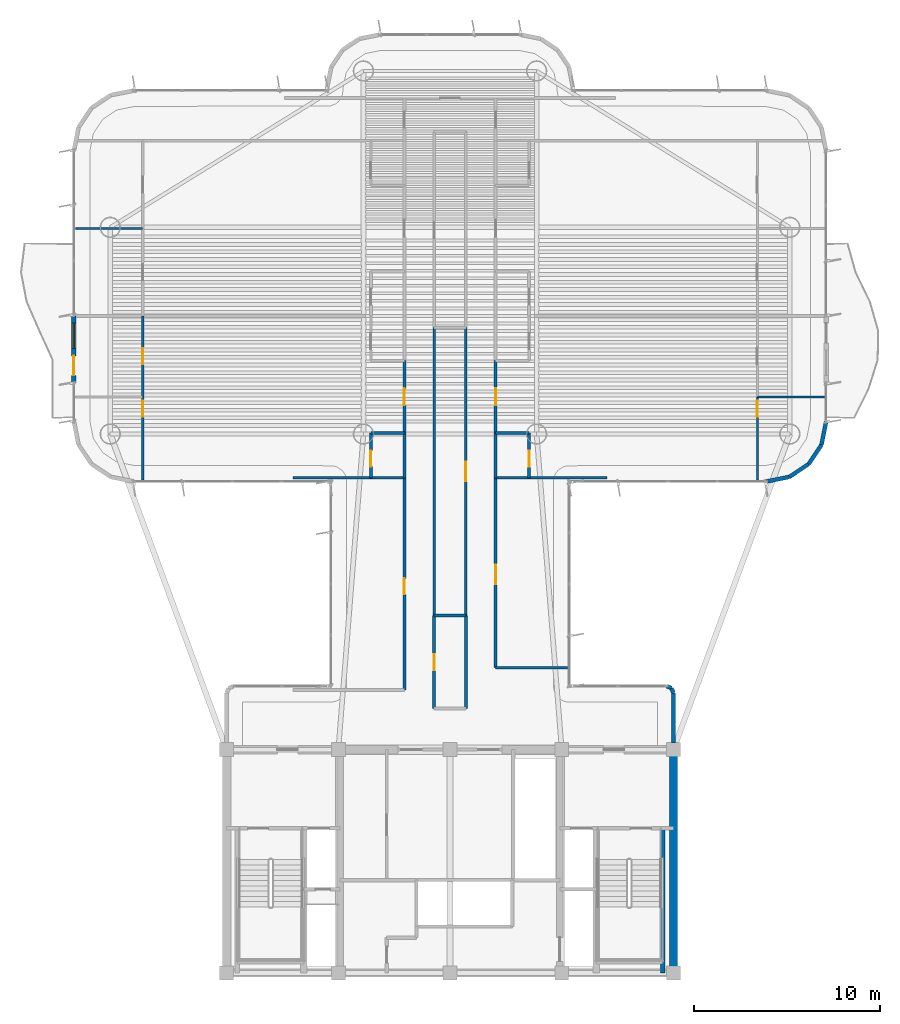
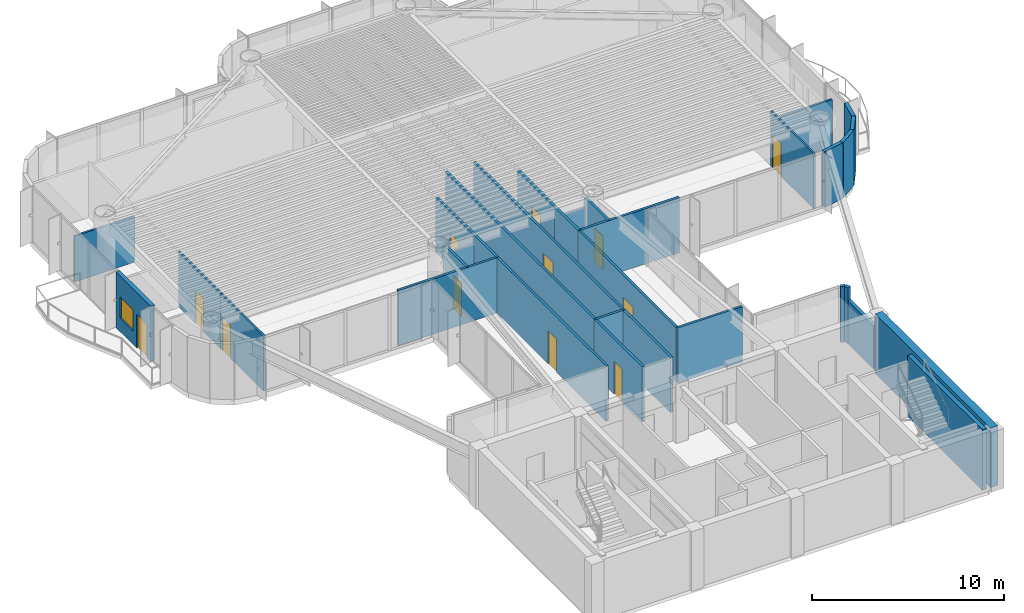
# One storey, part 10 of 15: 33 walls, 12 doors, 1 window, 13 openings.
"""IFC4 building model written with IfcOpenShell, lengths in metres."""

import ifcopenshell
import ifcopenshell.guid

model = None  # the IFC model being written
_history = None  # IfcOwnerHistory: only IFC2X3 demands one
_inside = {}  # id of a spatial element -> (the spatial element, [elements in it])
_under = {}  # id of a project, library or spatial element -> (it, [spatial elements below it])
_declared = {}  # id of a project -> (the project, [libraries it declares])
_typed = {}  # id of a type object -> (the type object, [elements of that type])
_made_of = {}  # id of a material, layer set ... -> (it, [elements and type objects made of it])


def new_model(schema):
    """Start an empty IFC model of exactly this schema.

    Asked for "IFC4X3", IfcOpenShell would pick the latest addendum, in which some entities
    have other attributes; the version numbers below select the first issue.
    IFC2X3 requires an IfcOwnerHistory on every rooted entity: one is made here for all.
    """
    global model, _history
    if schema == "IFC4X3":
        model = ifcopenshell.file(schema_version=(4, 3, 0, 0))
    else:
        model = ifcopenshell.file(schema=schema)
    _inside.clear()
    _under.clear()
    _declared.clear()
    _typed.clear()
    _made_of.clear()
    _history = None
    if model.schema == "IFC2X3":
        org = make("IfcOrganization", Name="unknown")
        user = make(
            "IfcPersonAndOrganization",
            ThePerson=make("IfcPerson", FamilyName="unknown"),
            TheOrganization=org,
        )
        app = make(
            "IfcApplication",
            ApplicationDeveloper=org,
            Version="unknown",
            ApplicationFullName="unknown",
            ApplicationIdentifier="unknown",
        )
        _history = make(
            "IfcOwnerHistory",
            OwningUser=user,
            OwningApplication=app,
            ChangeAction="ADDED",
            CreationDate=0,
        )
    return model


def make(cls, **values):
    """One entity of the class cls with the attributes given. An attribute that is None is left unset."""
    return model.create_entity(
        cls, **{name: value for name, value in values.items() if value is not None}
    )


def rooted(cls, **values):
    """An entity with a GlobalId (a new one), such as an element, a storey or a relation."""
    return make(cls, GlobalId=ifcopenshell.guid.new(), OwnerHistory=_history, **values)


def si_unit(unit_type, name, prefix=None):
    """IfcSIUnit, for example si_unit("LENGTHUNIT", "METRE", prefix="MILLI")."""
    return make("IfcSIUnit", UnitType=unit_type, Prefix=prefix, Name=name)


def assignment(units):
    """IfcUnitAssignment: the units of a project."""
    return None if units is None else make("IfcUnitAssignment", Units=units)


def point(xyz):
    """IfcCartesianPoint."""
    return None if xyz is None else make("IfcCartesianPoint", Coordinates=xyz)


def direction(xyz):
    """IfcDirection."""
    return None if xyz is None else make("IfcDirection", DirectionRatios=xyz)


def frame(location, z_axis=None, x_axis=None):
    """IfcAxis2Placement3D, a coordinate frame: its origin and axes. An axis left out is left unset."""
    return make(
        "IfcAxis2Placement3D",
        Location=point(location),
        Axis=direction(z_axis),
        RefDirection=direction(x_axis),
    )


def frame_2d(location, x_axis=None):
    """IfcAxis2Placement2D, a coordinate frame in the plane: its origin and x axis."""
    return make(
        "IfcAxis2Placement2D", Location=point(location), RefDirection=direction(x_axis)
    )


def origin():
    """The frame at (0, 0, 0) with its axes left unset."""
    return frame((0.0, 0.0, 0.0))


def origin_2d():
    """The frame at (0, 0) in the plane with its x axis left unset."""
    return frame_2d((0.0, 0.0))


def place(relative_to, where):
    """IfcLocalPlacement: puts the frame where relative to a parent placement (None: the world)."""
    return make(
        "IfcLocalPlacement", PlacementRelTo=relative_to, RelativePlacement=where
    )


def context(
    kind, dimensions, precision=None, world=None, true_north=None, identifier=None
):
    """IfcGeometricRepresentationContext, for example the 3D "Model" context."""
    return make(
        "IfcGeometricRepresentationContext",
        ContextIdentifier=identifier,
        ContextType=kind,
        CoordinateSpaceDimension=dimensions,
        Precision=precision,
        WorldCoordinateSystem=world,
        TrueNorth=true_north,
    )


def subcontext(parent, identifier, kind, view, scale=None):
    """IfcGeometricRepresentationSubContext, for example "Body" below "Model"."""
    return make(
        "IfcGeometricRepresentationSubContext",
        ContextIdentifier=identifier,
        ContextType=kind,
        ParentContext=parent,
        TargetScale=scale,
        TargetView=view,
    )


def project(units=None, contexts=None):
    """IfcProject with its units and contexts."""
    return rooted(
        "IfcProject",
        Name="project",
        RepresentationContexts=contexts,
        UnitsInContext=assignment(units),
    )


def spatial(cls, under=None, at=None, **own):
    """A site, building, storey or space (cls), placed at a placement, below another one or the project."""
    s = rooted(cls, ObjectPlacement=at, **own)
    if under is not None:
        _under.setdefault(under.id(), (under, []))[1].append(s)
    return s


def profile(cls, at=None, kind="AREA", **sizes):
    """A parametric profile (cls). Its sizes go by their IFC names, for example OverallWidth=200.0."""
    return make(cls, ProfileType=kind, Position=at, **sizes)


def rectangle(**sizes):
    """IfcRectangleProfileDef."""
    return profile("IfcRectangleProfileDef", **sizes)


def extrude(swept, where, along, depth):
    """IfcExtrudedAreaSolid: the profile swept, set in the frame where, extruded along a direction by depth."""
    return make(
        "IfcExtrudedAreaSolid",
        SweptArea=swept,
        Position=where,
        ExtrudedDirection=direction(along),
        Depth=depth,
    )


def shape(context_of_items, identifier, shape_type, items):
    """IfcShapeRepresentation: the items that make up one representation, for example the "Body"."""
    return make(
        "IfcShapeRepresentation",
        ContextOfItems=context_of_items,
        RepresentationIdentifier=identifier,
        RepresentationType=shape_type,
        Items=items,
    )


def source(mapping_origin, context_of_items, identifier, shape_type, items):
    """IfcRepresentationMap: a shape defined once, which mapped items show again and again."""
    return make(
        "IfcRepresentationMap",
        MappingOrigin=mapping_origin,
        MappedRepresentation=shape(context_of_items, identifier, shape_type, items),
    )


def transform(
    local_origin,
    x_axis=None,
    y_axis=None,
    z_axis=None,
    scale=None,
    scale2=None,
    scale3=None,
    uniform=True,
):
    """IfcCartesianTransformationOperator3D, or its non-uniform kind. x_axis, y_axis, z_axis: its Axis1, 2, 3."""
    if uniform:
        return make(
            "IfcCartesianTransformationOperator3D",
            Axis1=direction(x_axis),
            Axis2=direction(y_axis),
            LocalOrigin=point(local_origin),
            Scale=scale,
            Axis3=direction(z_axis),
        )
    return make(
        "IfcCartesianTransformationOperator3DnonUniform",
        Axis1=direction(x_axis),
        Axis2=direction(y_axis),
        LocalOrigin=point(local_origin),
        Scale=scale,
        Axis3=direction(z_axis),
        Scale2=scale2,
        Scale3=scale3,
    )


def mapped(mapping_source, mapping_target):
    """IfcMappedItem: shows the shape of a source again, moved by a transform."""
    return make(
        "IfcMappedItem", MappingSource=mapping_source, MappingTarget=mapping_target
    )


def material(Name=None, Category=None):
    """IfcMaterial."""
    return make("IfcMaterial", Name=Name, Category=Category)


def layer(
    of_material, thickness, ventilated=None, Name=None, Category=None, Priority=None
):
    """IfcMaterialLayer: one layer of a wall or slab, of a material (None: an air gap)."""
    return make(
        "IfcMaterialLayer",
        Material=of_material,
        LayerThickness=thickness,
        IsVentilated=ventilated,
        Name=Name,
        Category=Category,
        Priority=Priority,
    )


def layer_set(layers, Name=None):
    """IfcMaterialLayerSet."""
    return make("IfcMaterialLayerSet", MaterialLayers=layers, LayerSetName=Name)


def made_of(thing, what):
    """Note that an element or type object is made of a material, layer set ...; save() writes the relation."""
    if what is not None:
        _made_of.setdefault(what.id(), (what, []))[1].append(thing)
    return thing


def type_object(cls, material=None, **own):
    """A type object (cls), such as IfcWallType, which elements share."""
    return made_of(rooted(cls, **own), material)


def element(
    cls,
    number,
    at=None,
    inside=None,
    cuts=None,
    type_object=None,
    material=None,
    context=None,
    identifier="Body",
    shape_type=None,
    held_by="IfcProductDefinitionShape",
    body=None,
    shapes=None,
    **own,
):
    """One element of the class cls, such as IfcWall. Its Tag is "e" and its number.

    at: its placement. inside: the storey or other place that contains it. cuts: it is an
    opening in that element (IfcRelVoidsElement). A single representation is given by context,
    identifier, shape_type and body (its items); several are given by shapes. held_by: the class
    of the entity that holds the representations. save() writes the other relations.
    """
    e = rooted(cls, Tag="e%d" % number, ObjectPlacement=at, **own)
    if body is not None:
        shapes = [shape(context, identifier, shape_type, body)]
    if shapes is not None:
        e.Representation = make(held_by, Representations=shapes)
    if inside is not None:
        _inside.setdefault(inside.id(), (inside, []))[1].append(e)
    if cuts is not None:
        rooted(
            "IfcRelVoidsElement", RelatingBuildingElement=cuts, RelatedOpeningElement=e
        )
    if type_object is not None:
        _typed.setdefault(type_object.id(), (type_object, []))[1].append(e)
    return made_of(e, material)


def fill(opening, filler):
    """IfcRelFillsElement: the door or window that sits in an opening."""
    return rooted(
        "IfcRelFillsElement",
        RelatingOpeningElement=opening,
        RelatedBuildingElement=filler,
    )


def aggregate(whole, parts):
    """IfcRelAggregates: a whole, such as a stair, and the parts it consists of."""
    return rooted("IfcRelAggregates", RelatingObject=whole, RelatedObjects=parts)


def save(model, path):
    """Write the relations noted so far, then the file.

    IfcRelAggregates (storeys below a building ...), IfcRelContainedInSpatialStructure (elements
    in a storey), IfcRelDefinesByType, IfcRelAssociatesMaterial and IfcRelDeclares: one each for
    every whole, place, type object, material and project.
    """
    for whole, parts in _under.values():
        aggregate(whole, parts)
    for where, things in _inside.values():
        rooted(
            "IfcRelContainedInSpatialStructure",
            RelatedElements=things,
            RelatingStructure=where,
        )
    for kind, things in _typed.values():
        rooted("IfcRelDefinesByType", RelatedObjects=things, RelatingType=kind)
    for what, things in _made_of.values():
        rooted("IfcRelAssociatesMaterial", RelatedObjects=things, RelatingMaterial=what)
    for by, libraries in _declared.values():
        rooted("IfcRelDeclares", RelatingContext=by, RelatedDefinitions=libraries)
    model.write(path)


model = new_model("IFC4")

# Units and contexts
model_context = context("Model", 3, precision=1e-05, world=origin(), true_north=direction((0.0, 1.0)))
body_context = subcontext(model_context, "Body", "Model", "MODEL_VIEW")
ifc_project = project(units=[si_unit("LENGTHUNIT", "METRE"), si_unit("AREAUNIT", "SQUARE_METRE"), si_unit("VOLUMEUNIT", "CUBIC_METRE"), si_unit("PLANEANGLEUNIT", "RADIAN"), si_unit("MASSUNIT", "GRAM", prefix="KILO")], contexts=[model_context])

# Site, building, storey
site_placement = place(None, origin())
site = spatial("IfcSite", under=ifc_project, at=site_placement, CompositionType="ELEMENT")
building_placement = place(site_placement, origin())
building = spatial("IfcBuilding", under=site, at=building_placement, Name="Brelvock Crest Care Tower", CompositionType="ELEMENT")
storey_placement = place(building_placement, frame((0.0, 0.0, 156.419921875)))
storey = spatial("IfcBuildingStorey", under=building, at=storey_placement, Name="L39", CompositionType="ELEMENT", Elevation=156.419921875)

# Walls
ifc_material_1 = material(Name="Concrete S65 (65 MPa)", Category="concrete")
ifc_layer_1 = layer(ifc_material_1, 0.449951171875, Name="WL-CS3")
ifc_layer_set_1 = layer_set([ifc_layer_1], Name="Concrete S65 (65 MPa)")
wall_type_1 = type_object("IfcWallType", Name="WL-CS3", PredefinedType="SHEAR", material=ifc_layer_set_1)
wall_1_placement = place(storey_placement, frame((48.0, 18.0, 0.0), z_axis=(0.0, 0.0, 1.0), x_axis=(0.0, -1.0, 0.0)))
element("IfcWall", 1, at=wall_1_placement, inside=storey, type_object=wall_type_1, Name="L39 Core East Shear Wall", PredefinedType="SHEAR", context=body_context, shape_type="SweptSolid", body=[
    extrude(rectangle(XDim=12.0, YDim=0.449951171875, at=frame_2d((6.0, 0.0))), origin(), (0.0, 0.0, 1.0), 3.780029296875),
])
ifc_material_2 = material(Name="Concrete S80 (80 MPa)", Category="concrete")
ifc_layer_2 = layer(ifc_material_2, 0.25, Name="WL-CS6")
ifc_layer_set_2 = layer_set([ifc_layer_2], Name="Concrete S80 (80 MPa)")
wall_type_2 = type_object("IfcWallType", Name="WL-CS6", PredefinedType="SHEAR", material=ifc_layer_set_2)
wall_2_placement = place(storey_placement, frame((47.419921875, 6.0, 0.0), z_axis=(0.0, 0.0, 1.0), x_axis=(0.0, 1.0, 0.0)))
element("IfcWall", 2, at=wall_2_placement, inside=storey, type_object=wall_type_2, Name="L39 Core Stair ST-2 East Shear Wall", PredefinedType="SHEAR", context=body_context, shape_type="SweptSolid", body=[
    extrude(rectangle(XDim=7.780029296875, YDim=0.25, at=frame_2d((3.89013671875, 0.0))), origin(), (0.0, 0.0, 1.0), 3.85009765625),
])

# Wall, openings, door, window
ifc_material_3 = material(Name="Precast concrete N40 (40 MPa)", Category="concrete")
ifc_layer_3 = layer(ifc_material_3, 0.239990234375, Name="WL-EX1")
ifc_layer_set_3 = layer_set([ifc_layer_3], Name="Precast concrete N40 (40 MPa)")
wall_type_3 = type_object("IfcWallType", Name="WL-EX1", PredefinedType="SOLIDWALL", material=ifc_layer_set_3)
wall_3_placement = place(storey_placement, frame((15.800048828125, 37.699951171875, 0.0), z_axis=(0.0, 0.0, 1.0), x_axis=(0.0, 1.0, 0.0)))
wall_3 = element("IfcWall", 3, at=wall_3_placement, inside=storey, type_object=wall_type_3, Name="L39 Exterior Spandrel Wall WL-BAL-L39-W", PredefinedType="SOLIDWALL", context=body_context, shape_type="SweptSolid", body=[
    extrude(rectangle(XDim=3.60009765625, YDim=0.239990234375, at=frame_2d((1.800048828125, 0.0))), origin(), (0.0, 0.0, 1.0), 3.530029296875),
])
opening_1_placement = place(wall_3_placement, frame((0.39990234375, 0.0, 0.0)))
opening_1 = element("IfcOpeningElement", 4, at=opening_1_placement, cuts=wall_3, Name="Opening BD-1", PredefinedType="OPENING", context=body_context, shape_type="SweptSolid", body=[
    extrude(rectangle(XDim=1.050048828125, YDim=2.14990234375, at=origin_2d()), frame((0.52490234375, 0.1298828125, 1.074951171875), z_axis=(0.0, -1.0, 0.0), x_axis=(1.0, 0.0, 0.0)), (0.0, 0.0, 1.0), 0.260009765625),
])
opening_2_placement = place(wall_3_placement, frame((1.85009765625, 0.0, 0.85009765625)))
opening_2 = element("IfcOpeningElement", 5, at=opening_2_placement, cuts=wall_3, Name="Opening W-01", PredefinedType="OPENING", context=body_context, shape_type="SweptSolid", body=[
    extrude(rectangle(XDim=1.35009765625, YDim=1.35009765625, at=origin_2d()), frame((0.675048828125, 0.1298828125, 0.675048828125), z_axis=(0.0, -1.0, 0.0), x_axis=(1.0, 0.0, 0.0)), (0.0, 0.0, 1.0), 0.260009765625),
])
ifc_material_4 = material(Name="Dark Glass Double Glazed Low-E", Category="glass")
door_type_1 = type_object("IfcDoorType", Name="DR-BAL1", OperationType="NOTDEFINED", PredefinedType="DOOR", material=ifc_material_4)
shared_shape_1 = source(origin(), body_context, "Body", "SweptSolid", [
    extrude(rectangle(XDim=1.050048828125, YDim=2.14990234375, at=origin_2d()), frame((0.52490234375, 0.02490234375, 1.074951171875), z_axis=(0.0, -1.0, 0.0), x_axis=(1.0, 0.0, 0.0)), (0.0, 0.0, 1.0), 0.050048828125),
])
door_1_placement = place(opening_1_placement, origin())
door_1 = element("IfcDoor", 6, at=door_1_placement, inside=storey, type_object=door_type_1, Name="L39 W Wave Balcony Glazed Door", OperationType="SINGLE_SWING_LEFT", OverallHeight=2.14990234375, OverallWidth=1.050048828125, PredefinedType="DOOR", context=body_context, shape_type="MappedRepresentation", body=[
    mapped(shared_shape_1, transform((0.0, 0.0, 0.0), x_axis=(1.0, 0.0, 0.0), y_axis=(0.0, 1.0, 0.0), z_axis=(0.0, 0.0, 1.0), scale=1.0)),
])
fill(opening_1, door_1)
window_type = type_object("IfcWindowType", Name="WN-EX1", PartitioningType="SINGLE_PANEL", PredefinedType="WINDOW", material=ifc_material_4)
shared_shape_2 = source(origin(), body_context, "Body", "SweptSolid", [
    extrude(rectangle(XDim=1.35009765625, YDim=1.35009765625, at=origin_2d()), frame((0.675048828125, 0.030029296875, 0.675048828125), z_axis=(0.0, -1.0, 0.0), x_axis=(1.0, 0.0, 0.0)), (0.0, 0.0, 1.0), 0.06005859375),
])
window_placement = place(opening_2_placement, origin())
window = element("IfcWindow", 7, at=window_placement, inside=storey, type_object=window_type, Name="L39 W Suite Casement Window", OverallHeight=1.35009765625, OverallWidth=1.35009765625, PartitioningType="SINGLE_PANEL", PredefinedType="WINDOW", context=body_context, shape_type="MappedRepresentation", body=[
    mapped(shared_shape_2, transform((0.0, 0.0, 0.0), x_axis=(1.0, 0.0, 0.0), y_axis=(0.0, 1.0, 0.0), z_axis=(0.0, 0.0, 1.0), scale=1.0)),
])
fill(opening_2, window)

# Walls
ifc_layer_4 = layer(ifc_material_3, 0.215087890625, Name="WL-EX2")
ifc_layer_set_4 = layer_set([ifc_layer_4], Name="Precast concrete N40 (40 MPa)")
wall_type_4 = type_object("IfcWallType", Name="WL-EX2", PredefinedType="SOLIDWALL", material=ifc_layer_set_4)
wall_4_placement = place(storey_placement, frame((47.8974609375, 21.297607421875, 0.0), z_axis=(0.0, 0.0, 1.0), x_axis=(0.382673670509, -0.923883575944, 0.0)))
element("IfcWall", 8, at=wall_4_placement, inside=storey, type_object=wall_type_4, Name="L39 Rounded Corner Wall 00", PredefinedType="SOLIDWALL", context=body_context, shape_type="SweptSolid", body=[
    extrude(rectangle(XDim=0.26806640625, YDim=0.215087890625, at=frame_2d((0.134033203125, 0.0))), origin(), (0.0, 0.0, 1.0), 3.530029296875),
])
wall_5_placement = place(storey_placement, frame((48.0, 21.050048828125, 0.0), z_axis=(0.0, 0.0, 1.0), x_axis=(0.0, -1.0, 0.0)))
element("IfcWall", 9, at=wall_5_placement, inside=storey, type_object=wall_type_4, Name="L39 Rounded Corner Wall 01", PredefinedType="SOLIDWALL", context=body_context, shape_type="SweptSolid", body=[
    extrude(rectangle(XDim=2.695068359375, YDim=0.215087890625, at=frame_2d((1.34765625, 0.0))), origin(), (0.0, 0.0, 1.0), 2.718017578125),
])
for number, where, z_axis, x_axis, name in (
    (10, (56.199951171875, 35.60009765625, 0.0), (0.0, 0.0, 1.0), (-0.195138390419, -0.980775717779, 0.0), "L39 Rounded Corner Wall 40"),
    (11, (55.956298828125, 34.37548828125, 0.0), (0.0, 0.0, 1.0), (-0.555557312883, -0.831478245117, 0.0), "L39 Rounded Corner Wall 41"),
    (12, (55.2626953125, 33.33740234375, 0.0), (0.0, 0.0, 1.0), (-0.831387912822, -0.555692485475, 0.0), "L39 Rounded Corner Wall 42"),
    (13, (54.224609375, 32.6435546875, 0.0), (0.0, 0.0, 1.0), (-0.980775717779, -0.195138390419, 0.0), "L39 Rounded Corner Wall 43"),
):
    element("IfcWall", number, at=place(storey_placement, frame(where, z_axis=z_axis, x_axis=x_axis)), inside=storey, type_object=wall_type_4, Name=name, PredefinedType="SOLIDWALL", context=body_context, shape_type="SweptSolid", body=[
        extrude(rectangle(XDim=1.24853515625, YDim=0.215087890625, at=frame_2d((0.624267578125, 0.0))), origin(), (0.0, 0.0, 1.0), 3.530029296875),
    ])
wall_6_placement = place(storey_placement, frame((47.64990234375, 21.39990234375, 0.0), z_axis=(0.0, 0.0, 1.0), x_axis=(0.924205486139, -0.381895560841, 0.0)))
element("IfcWall", 14, at=wall_6_placement, inside=storey, type_object=wall_type_4, Name="L39 Rounded Corner Wall 47", PredefinedType="SOLIDWALL", context=body_context, shape_type="SweptSolid", body=[
    extrude(rectangle(XDim=0.267822265625, YDim=0.215087890625, at=frame_2d((0.1337890625, 0.0))), origin(), (0.0, 0.0, 1.0), 3.530029296875),
])
ifc_material_5 = material(Name="Masonry Blockwork Acoustic Partition", Category="masonry")
ifc_layer_5 = layer(ifc_material_5, 0.14990234375, Name="WL-INT1")
ifc_layer_set_5 = layer_set([ifc_layer_5], Name="Masonry Blockwork Acoustic Partition")
wall_type_5 = type_object("IfcWallType", Name="WL-INT1", PredefinedType="PARTITIONING", material=ifc_layer_set_5)
wall_7_placement = place(storey_placement, frame((38.449951171875, 22.39990234375, 0.0), z_axis=(0.0, 0.0, 1.0), x_axis=(1.0, 0.0, 0.0)))
element("IfcWall", 15, at=wall_7_placement, inside=storey, type_object=wall_type_5, Name="L39 Interior Wall WL-BX-L39-THRE-S", PredefinedType="PARTITIONING", context=body_context, shape_type="SweptSolid", body=[
    extrude(rectangle(XDim=3.8701171875, YDim=0.14990234375, at=frame_2d((1.93505859375, 0.0))), origin(), (0.0, 0.0, 1.0), 3.5),
])
wall_8_placement = place(storey_placement, frame((27.55712890625, 32.60009765625, 0.0), z_axis=(0.0, 0.0, 1.0), x_axis=(1.0, 0.0, 0.0)))
element("IfcWall", 16, at=wall_8_placement, inside=storey, type_object=wall_type_5, Name="L39 Interior Wall WL-BX-L39-FL-WF1-S2", PredefinedType="PARTITIONING", context=body_context, shape_type="SweptSolid", body=[
    extrude(rectangle(XDim=5.992919921875, YDim=0.14990234375, at=frame_2d((2.99658203125, 0.0))), origin(), (0.0, 0.0, 1.0), 3.5),
])
wall_9_placement = place(storey_placement, frame((38.449951171875, 32.60009765625, 0.0), z_axis=(0.0, 0.0, 1.0), x_axis=(1.0, 0.0, 0.0)))
element("IfcWall", 17, at=wall_9_placement, inside=storey, type_object=wall_type_5, Name="L39 Interior Wall WL-BX-L39-FL-EF1-S", PredefinedType="PARTITIONING", context=body_context, shape_type="SweptSolid", body=[
    extrude(rectangle(XDim=5.993408203125, YDim=0.14990234375, at=frame_2d((2.99658203125, 0.0))), origin(), (0.0, 0.0, 1.0), 3.5),
])

# Wall, opening, door
wall_10_placement = place(storey_placement, frame((33.550048828125, 21.199951171875, 0.0), z_axis=(0.0, 0.0, 1.0), x_axis=(0.0, 1.0, 0.0)))
wall_10 = element("IfcWall", 18, at=wall_10_placement, inside=storey, type_object=wall_type_5, Name="L39 Interior Wall WL-RM-L39-THRW", PredefinedType="PARTITIONING", context=body_context, shape_type="SweptSolid", body=[
    extrude(rectangle(XDim=11.400146484375, YDim=0.14990234375, at=frame_2d((5.7001953125, 0.0))), origin(), (0.0, 0.0, 1.0), 3.5),
])
opening_3_placement = place(wall_10_placement, frame((5.139892578125, 0.0, 0.0)))
opening_3 = element("IfcOpeningElement", 19, at=opening_3_placement, cuts=wall_10, Name="Opening ID-1", PredefinedType="OPENING", context=body_context, shape_type="SweptSolid", body=[
    extrude(rectangle(XDim=0.860107421875, YDim=2.10009765625, at=origin_2d()), frame((0.43017578125, 0.0849609375, 1.050048828125), z_axis=(0.0, -1.0, 0.0), x_axis=(1.0, 0.0, 0.0)), (0.0, 0.0, 1.0), 0.169921875),
])
ifc_material_6 = material(Name="Engineered Hardwood Timber", Category="wood")
door_type_2 = type_object("IfcDoorType", Name="DR-INT1", OperationType="NOTDEFINED", PredefinedType="DOOR", material=ifc_material_6)
shared_shape_3 = source(origin(), body_context, "Body", "SweptSolid", [
    extrude(rectangle(XDim=0.860107421875, YDim=2.10009765625, at=origin_2d()), frame((0.43017578125, 0.02490234375, 1.050048828125), z_axis=(0.0, -1.0, 0.0), x_axis=(1.0, 0.0, 0.0)), (0.0, 0.0, 1.0), 0.050048828125),
])
door_2_placement = place(opening_3_placement, origin())
door_2 = element("IfcDoor", 20, at=door_2_placement, inside=storey, type_object=door_type_2, Name="L39 Quiet Family Consultation Room Door THRW", OperationType="SINGLE_SWING_LEFT", OverallHeight=2.10009765625, OverallWidth=0.860107421875, PredefinedType="DOOR", context=body_context, shape_type="MappedRepresentation", body=[
    mapped(shared_shape_3, transform((0.0, 0.0, 0.0), x_axis=(1.0, 0.0, 0.0), y_axis=(0.0, 1.0, 0.0), z_axis=(0.0, 0.0, 1.0), scale=1.0)),
])
fill(opening_3, door_2)

wall_11_placement = place(storey_placement, frame((33.550048828125, 35.0, 0.0), z_axis=(0.0, 0.0, 1.0), x_axis=(0.0, 1.0, 0.0)))
wall_11 = element("IfcWall", 21, at=wall_11_placement, inside=storey, type_object=wall_type_5, Name="L39 Interior Wall WL-UENT-L39-WF1", PredefinedType="PARTITIONING", context=body_context, shape_type="SweptSolid", body=[
    extrude(rectangle(XDim=3.887939453125, YDim=0.14990234375, at=frame_2d((1.94384765625, 0.0))), origin(), (0.0, 0.0, 1.0), 3.5),
])
opening_4_placement = place(wall_11_placement, frame((1.48388671875, 0.0, 0.0)))
opening_4 = element("IfcOpeningElement", 22, at=opening_4_placement, cuts=wall_11, Name="Opening AD-1", PredefinedType="OPENING", context=body_context, shape_type="SweptSolid", body=[
    extrude(rectangle(XDim=0.919921875, YDim=2.10009765625, at=origin_2d()), frame((0.4599609375, 0.0849609375, 1.050048828125), z_axis=(0.0, -1.0, 0.0), x_axis=(1.0, 0.0, 0.0)), (0.0, 0.0, 1.0), 0.169921875),
])
door_type_3 = type_object("IfcDoorType", Name="DR-APT1", OperationType="NOTDEFINED", PredefinedType="DOOR", material=ifc_material_6)
shared_shape_4 = source(origin(), body_context, "Body", "SweptSolid", [
    extrude(rectangle(XDim=0.919921875, YDim=2.10009765625, at=origin_2d()), frame((0.4599609375, 0.02490234375, 1.050048828125), z_axis=(0.0, -1.0, 0.0), x_axis=(1.0, 0.0, 0.0)), (0.0, 0.0, 1.0), 0.050048828125),
])
door_3_placement = place(opening_4_placement, origin())
door_3 = element("IfcDoor", 23, at=door_3_placement, inside=storey, type_object=door_type_3, Name="L39 Apartment Entrance WF1", OperationType="SINGLE_SWING_LEFT", OverallHeight=2.10009765625, OverallWidth=0.919921875, PredefinedType="DOOR", context=body_context, shape_type="MappedRepresentation", body=[
    mapped(shared_shape_4, transform((0.0, 0.0, 0.0), x_axis=(1.0, 0.0, 0.0), y_axis=(0.0, 1.0, 0.0), z_axis=(0.0, 0.0, 1.0), scale=1.0)),
])
fill(opening_4, door_3)

# Wall
wall_12_placement = place(storey_placement, frame((35.14990234375, 25.199951171875, 0.0), z_axis=(0.0, 0.0, 1.0), x_axis=(0.0, 1.0, 0.0)))
element("IfcWall", 24, at=wall_12_placement, inside=storey, type_object=wall_type_5, Name="L39 Interior Wall WL-BX-L39-ISNS-W", PredefinedType="PARTITIONING", context=body_context, shape_type="SweptSolid", body=[
    extrude(rectangle(XDim=15.4599609375, YDim=0.14990234375, at=frame_2d((7.72998046875, 0.0))), origin(), (0.0, 0.0, 1.0), 3.5),
])

# Wall, opening, door
wall_13_placement = place(storey_placement, frame((36.85009765625, 25.199951171875, 0.0), z_axis=(0.0, 0.0, 1.0), x_axis=(0.0, 1.0, 0.0)))
wall_13 = element("IfcWall", 25, at=wall_13_placement, inside=storey, type_object=wall_type_5, Name="L39 Interior Wall WL-RM-L39-ISNS", PredefinedType="PARTITIONING", context=body_context, shape_type="SweptSolid", body=[
    extrude(rectangle(XDim=15.4599609375, YDim=0.14990234375, at=frame_2d((7.72998046875, 0.0))), origin(), (0.0, 0.0, 1.0), 3.5),
])
opening_5_placement = place(wall_13_placement, frame((7.205078125, 0.0, 0.0)))
opening_5 = element("IfcOpeningElement", 26, at=opening_5_placement, cuts=wall_13, Name="Opening CLD-1", PredefinedType="OPENING", context=body_context, shape_type="SweptSolid", body=[
    extrude(rectangle(XDim=1.050048828125, YDim=2.10009765625, at=origin_2d()), frame((0.52490234375, 0.0849609375, 1.050048828125), z_axis=(0.0, -1.0, 0.0), x_axis=(1.0, 0.0, 0.0)), (0.0, 0.0, 1.0), 0.169921875),
])
door_type_4 = type_object("IfcDoorType", Name="DR-CLN1", OperationType="NOTDEFINED", PredefinedType="DOOR", material=ifc_material_6)
shared_shape_5 = source(origin(), body_context, "Body", "SweptSolid", [
    extrude(rectangle(XDim=1.050048828125, YDim=2.10009765625, at=origin_2d()), frame((0.52490234375, 0.02490234375, 1.050048828125), z_axis=(0.0, -1.0, 0.0), x_axis=(1.0, 0.0, 0.0)), (0.0, 0.0, 1.0), 0.050048828125),
])
door_4_placement = place(opening_5_placement, origin())
door_4 = element("IfcDoor", 27, at=door_4_placement, inside=storey, type_object=door_type_4, Name="L39 Care Concierge and Triage Station Door ISNS", OperationType="SINGLE_SWING_LEFT", OverallHeight=2.10009765625, OverallWidth=1.050048828125, PredefinedType="DOOR", context=body_context, shape_type="MappedRepresentation", body=[
    mapped(shared_shape_5, transform((0.0, 0.0, 0.0), x_axis=(1.0, 0.0, 0.0), y_axis=(0.0, 1.0, 0.0), z_axis=(0.0, 0.0, 1.0), scale=1.0)),
])
fill(opening_5, door_4)

wall_14_placement = place(storey_placement, frame((38.449951171875, 22.39990234375, 0.0), z_axis=(0.0, 0.0, 1.0), x_axis=(0.0, 1.0, 0.0)))
wall_14 = element("IfcWall", 28, at=wall_14_placement, inside=storey, type_object=wall_type_5, Name="L39 Interior Wall WL-RM-L39-THRE", PredefinedType="PARTITIONING", context=body_context, shape_type="SweptSolid", body=[
    extrude(rectangle(XDim=10.2001953125, YDim=0.14990234375, at=frame_2d((5.10009765625, 0.0))), origin(), (0.0, 0.0, 1.0), 3.5),
])
opening_6_placement = place(wall_14_placement, frame((4.47509765625, 0.0, 0.0)))
opening_6 = element("IfcOpeningElement", 29, at=opening_6_placement, cuts=wall_14, Name="Opening CLD-1", PredefinedType="OPENING", context=body_context, shape_type="SweptSolid", body=[
    extrude(rectangle(XDim=1.050048828125, YDim=2.10009765625, at=origin_2d()), frame((0.52490234375, 0.0849609375, 1.050048828125), z_axis=(0.0, -1.0, 0.0), x_axis=(1.0, 0.0, 0.0)), (0.0, 0.0, 1.0), 0.169921875),
])
door_5_placement = place(opening_6_placement, origin())
door_5 = element("IfcDoor", 30, at=door_5_placement, inside=storey, type_object=door_type_4, Name="L39 Allied Health Therapy Room Door THRE", OperationType="SINGLE_SWING_LEFT", OverallHeight=2.10009765625, OverallWidth=1.050048828125, PredefinedType="DOOR", context=body_context, shape_type="MappedRepresentation", body=[
    mapped(shared_shape_5, transform((0.0, 0.0, 0.0), x_axis=(1.0, 0.0, 0.0), y_axis=(0.0, 1.0, 0.0), z_axis=(0.0, 0.0, 1.0), scale=1.0)),
])
fill(opening_6, door_5)

wall_15_placement = place(storey_placement, frame((38.449951171875, 35.0, 0.0), z_axis=(0.0, 0.0, 1.0), x_axis=(0.0, 1.0, 0.0)))
wall_15 = element("IfcWall", 31, at=wall_15_placement, inside=storey, type_object=wall_type_5, Name="L39 Interior Wall WL-UENT-L39-EF1", PredefinedType="PARTITIONING", context=body_context, shape_type="SweptSolid", body=[
    extrude(rectangle(XDim=3.887939453125, YDim=0.14990234375, at=frame_2d((1.94384765625, 0.0))), origin(), (0.0, 0.0, 1.0), 3.5),
])
opening_7_placement = place(wall_15_placement, frame((1.48388671875, 0.0, 0.0)))
opening_7 = element("IfcOpeningElement", 32, at=opening_7_placement, cuts=wall_15, Name="Opening AD-1", PredefinedType="OPENING", context=body_context, shape_type="SweptSolid", body=[
    extrude(rectangle(XDim=0.919921875, YDim=2.10009765625, at=origin_2d()), frame((0.4599609375, 0.0849609375, 1.050048828125), z_axis=(0.0, -1.0, 0.0), x_axis=(1.0, 0.0, 0.0)), (0.0, 0.0, 1.0), 0.169921875),
])
door_6_placement = place(opening_7_placement, origin())
door_6 = element("IfcDoor", 33, at=door_6_placement, inside=storey, type_object=door_type_3, Name="L39 Apartment Entrance EF1", OperationType="SINGLE_SWING_LEFT", OverallHeight=2.10009765625, OverallWidth=0.919921875, PredefinedType="DOOR", context=body_context, shape_type="MappedRepresentation", body=[
    mapped(shared_shape_4, transform((0.0, 0.0, 0.0), x_axis=(1.0, 0.0, 0.0), y_axis=(0.0, 1.0, 0.0), z_axis=(0.0, 0.0, 1.0), scale=1.0)),
])
fill(opening_7, door_6)

# Walls
ifc_material_7 = material(Name="Gypsum Plasterboard Partition", Category="gypsum")
ifc_layer_6 = layer(ifc_material_7, 0.1201171875, Name="WL-INT2")
ifc_layer_set_6 = layer_set([ifc_layer_6], Name="Gypsum Plasterboard Partition")
wall_type_6 = type_object("IfcWallType", Name="WL-INT2", PredefinedType="PARTITIONING", material=ifc_layer_set_6)
wall_16_placement = place(storey_placement, frame((52.510009765625, 36.944091796875, 0.0), z_axis=(0.0, 0.0, 1.0), x_axis=(1.0, 0.0, 0.0)))
element("IfcWall", 34, at=wall_16_placement, inside=storey, type_object=wall_type_6, Name="L39 Interior Wall WL-UBSP-L39-EF1", PredefinedType="PARTITIONING", context=body_context, shape_type="SweptSolid", body=[
    extrude(rectangle(XDim=3.610107421875, YDim=0.1201171875, at=frame_2d((1.80517578125, 0.0))), origin(), (0.0, 0.0, 1.0), 2.982177734375),
])
wall_17_placement = place(storey_placement, frame((15.8798828125, 45.993896484375, 0.0), z_axis=(0.0, 0.0, 1.0), x_axis=(1.0, 0.0, 0.0)))
element("IfcWall", 35, at=wall_17_placement, inside=storey, type_object=wall_type_6, Name="L39 Interior Wall WL-UBSP-L39-WF2", PredefinedType="PARTITIONING", context=body_context, shape_type="SweptSolid", body=[
    extrude(rectangle(XDim=3.610107421875, YDim=0.1201171875, at=frame_2d((1.80517578125, 0.0))), origin(), (0.0, 0.0, 1.0), 2.903076171875),
])

# Wall, opening, door
wall_18_placement = place(storey_placement, frame((19.489990234375, 32.47998046875, 0.0), z_axis=(0.0, 0.0, 1.0), x_axis=(0.0, 1.0, 0.0)))
wall_18 = element("IfcWall", 36, at=wall_18_placement, inside=storey, type_object=wall_type_6, Name="L39 Interior Wall WL-UBD1-L39-WF1", PredefinedType="PARTITIONING", context=body_context, shape_type="SweptSolid", body=[
    extrude(rectangle(XDim=4.464111328125, YDim=0.1201171875, at=frame_2d((2.23193359375, 0.0))), origin(), (0.0, 0.0, 1.0), 3.5),
])
opening_8_placement = place(wall_18_placement, frame((3.402099609375, 0.0, 0.0)))
opening_8 = element("IfcOpeningElement", 37, at=opening_8_placement, cuts=wall_18, Name="Opening ID-1", PredefinedType="OPENING", context=body_context, shape_type="SweptSolid", body=[
    extrude(rectangle(XDim=0.860107421875, YDim=2.10009765625, at=origin_2d()), frame((0.43017578125, 0.070068359375, 1.050048828125), z_axis=(0.0, -1.0, 0.0), x_axis=(1.0, 0.0, 0.0)), (0.0, 0.0, 1.0), 0.14013671875),
])
door_7_placement = place(opening_8_placement, origin())
door_7 = element("IfcDoor", 38, at=door_7_placement, inside=storey, type_object=door_type_2, Name="L39 Primary Bedroom Door WF1", OperationType="SINGLE_SWING_RIGHT", OverallHeight=2.10009765625, OverallWidth=0.860107421875, PredefinedType="DOOR", context=body_context, shape_type="MappedRepresentation", body=[
    mapped(shared_shape_3, transform((0.0, 0.0, 0.0), x_axis=(1.0, 0.0, 0.0), y_axis=(0.0, 1.0, 0.0), z_axis=(0.0, 0.0, 1.0), scale=1.0)),
])
fill(opening_8, door_7)

wall_19_placement = place(storey_placement, frame((19.489990234375, 36.944091796875, 0.0), z_axis=(0.0, 0.0, 1.0), x_axis=(0.0, 1.0, 0.0)))
wall_19 = element("IfcWall", 39, at=wall_19_placement, inside=storey, type_object=wall_type_6, Name="L39 Interior Wall WL-UBD2-L39-WF1", PredefinedType="PARTITIONING", context=body_context, shape_type="SweptSolid", body=[
    extrude(rectangle(XDim=4.343994140625, YDim=0.1201171875, at=frame_2d((2.171875, 0.0))), origin(), (0.0, 0.0, 1.0), 3.5),
])
opening_9_placement = place(wall_19_placement, frame((1.741943359375, 0.0, 0.0)))
opening_9 = element("IfcOpeningElement", 40, at=opening_9_placement, cuts=wall_19, Name="Opening ID-1", PredefinedType="OPENING", context=body_context, shape_type="SweptSolid", body=[
    extrude(rectangle(XDim=0.860107421875, YDim=2.10009765625, at=origin_2d()), frame((0.43017578125, 0.070068359375, 1.050048828125), z_axis=(0.0, -1.0, 0.0), x_axis=(1.0, 0.0, 0.0)), (0.0, 0.0, 1.0), 0.14013671875),
])
door_8_placement = place(opening_9_placement, origin())
door_8 = element("IfcDoor", 41, at=door_8_placement, inside=storey, type_object=door_type_2, Name="L39 Second Room Door WF1", OperationType="SINGLE_SWING_LEFT", OverallHeight=2.10009765625, OverallWidth=0.860107421875, PredefinedType="DOOR", context=body_context, shape_type="MappedRepresentation", body=[
    mapped(shared_shape_3, transform((0.0, 0.0, 0.0), x_axis=(1.0, 0.0, 0.0), y_axis=(0.0, 1.0, 0.0), z_axis=(0.0, 0.0, 1.0), scale=1.0)),
])
fill(opening_9, door_8)

wall_20_placement = place(storey_placement, frame((52.510009765625, 32.47998046875, 0.0), z_axis=(0.0, 0.0, 1.0), x_axis=(0.0, 1.0, 0.0)))
wall_20 = element("IfcWall", 42, at=wall_20_placement, inside=storey, type_object=wall_type_6, Name="L39 Interior Wall WL-UBD1-L39-EF1", PredefinedType="PARTITIONING", context=body_context, shape_type="SweptSolid", body=[
    extrude(rectangle(XDim=4.464111328125, YDim=0.1201171875, at=frame_2d((2.23193359375, 0.0))), origin(), (0.0, 0.0, 1.0), 3.5),
])
opening_10_placement = place(wall_20_placement, frame((3.402099609375, 0.0, 0.0)))
opening_10 = element("IfcOpeningElement", 43, at=opening_10_placement, cuts=wall_20, Name="Opening ID-1", PredefinedType="OPENING", context=body_context, shape_type="SweptSolid", body=[
    extrude(rectangle(XDim=0.860107421875, YDim=2.10009765625, at=origin_2d()), frame((0.43017578125, 0.070068359375, 1.050048828125), z_axis=(0.0, -1.0, 0.0), x_axis=(1.0, 0.0, 0.0)), (0.0, 0.0, 1.0), 0.14013671875),
])
door_9_placement = place(opening_10_placement, origin())
door_9 = element("IfcDoor", 44, at=door_9_placement, inside=storey, type_object=door_type_2, Name="L39 Primary Bedroom Door EF1", OperationType="SINGLE_SWING_RIGHT", OverallHeight=2.10009765625, OverallWidth=0.860107421875, PredefinedType="DOOR", context=body_context, shape_type="MappedRepresentation", body=[
    mapped(shared_shape_3, transform((0.0, 0.0, 0.0), x_axis=(1.0, 0.0, 0.0), y_axis=(0.0, 1.0, 0.0), z_axis=(0.0, 0.0, 1.0), scale=1.0)),
])
fill(opening_10, door_9)

# Walls
ifc_layer_7 = layer(ifc_material_7, 0.159912109375, Name="WL-PLM1")
ifc_layer_set_7 = layer_set([ifc_layer_7], Name="Gypsum Plasterboard Partition")
wall_type_7 = type_object("IfcWallType", Name="WL-PLM1", PredefinedType="PLUMBINGWALL", material=ifc_layer_set_7)
wall_21_placement = place(storey_placement, frame((35.14990234375, 25.199951171875, 0.0), z_axis=(0.0, 0.0, 1.0), x_axis=(1.0, 0.0, 0.0)))
element("IfcWall", 45, at=wall_21_placement, inside=storey, type_object=wall_type_7, Name="L39 Interior Wall WL-BX-L39-ISNS-S", PredefinedType="PLUMBINGWALL", context=body_context, shape_type="SweptSolid", body=[
    extrude(rectangle(XDim=1.7001953125, YDim=0.159912109375, at=frame_2d((0.85009765625, 0.0))), origin(), (0.0, 0.0, 1.0), 3.5),
])
for number, where, z_axis, x_axis, name in (
    (46, (31.75, 35.0, 0.0), (0.0, 0.0, 1.0), (1.0, 0.0, 0.0), "L39 Interior Wall WL-UBTH2-L39-WF1"),
    (47, (38.449951171875, 35.0, 0.0), (0.0, 0.0, 1.0), (1.0, 0.0, 0.0), "L39 Interior Wall WL-UBTH2-L39-EF1"),
):
    element("IfcWall", number, at=place(storey_placement, frame(where, z_axis=z_axis, x_axis=x_axis)), inside=storey, type_object=wall_type_7, Name=name, PredefinedType="PLUMBINGWALL", context=body_context, shape_type="SweptSolid", body=[
        extrude(rectangle(XDim=1.800048828125, YDim=0.159912109375, at=frame_2d((0.89990234375, 0.0))), origin(), (0.0, 0.0, 1.0), 2.903076171875),
    ])

# Wall, opening, door
wall_22_placement = place(storey_placement, frame((31.75, 32.60009765625, 0.0), z_axis=(0.0, 0.0, 1.0), x_axis=(0.0, 1.0, 0.0)))
wall_22 = element("IfcWall", 48, at=wall_22_placement, inside=storey, type_object=wall_type_7, Name="L39 Interior Wall WL-UBTH1-L39-WF1", PredefinedType="PLUMBINGWALL", context=body_context, shape_type="SweptSolid", body=[
    extrude(rectangle(XDim=2.39990234375, YDim=0.159912109375, at=frame_2d((1.199951171875, 0.0))), origin(), (0.0, 0.0, 1.0), 3.5),
])
opening_11_placement = place(wall_22_placement, frame((0.60009765625, 0.0, 0.0)))
opening_11 = element("IfcOpeningElement", 49, at=opening_11_placement, cuts=wall_22, Name="Opening WD-1", PredefinedType="OPENING", context=body_context, shape_type="SweptSolid", body=[
    extrude(rectangle(XDim=0.860107421875, YDim=2.10009765625, at=origin_2d()), frame((0.43017578125, 0.08984375, 1.050048828125), z_axis=(0.0, -1.0, 0.0), x_axis=(1.0, 0.0, 0.0)), (0.0, 0.0, 1.0), 0.179931640625),
])
door_type_5 = type_object("IfcDoorType", Name="DR-WC1", OperationType="NOTDEFINED", PredefinedType="DOOR", material=ifc_material_6)
shared_shape_6 = source(origin(), body_context, "Body", "SweptSolid", [
    extrude(rectangle(XDim=0.860107421875, YDim=2.10009765625, at=origin_2d()), frame((0.43017578125, 0.02490234375, 1.050048828125), z_axis=(0.0, -1.0, 0.0), x_axis=(1.0, 0.0, 0.0)), (0.0, 0.0, 1.0), 0.050048828125),
])
door_10_placement = place(opening_11_placement, origin())
door_10 = element("IfcDoor", 50, at=door_10_placement, inside=storey, type_object=door_type_5, Name="L39 Bathroom Door WF1", OperationType="SINGLE_SWING_LEFT", OverallHeight=2.10009765625, OverallWidth=0.860107421875, PredefinedType="DOOR", context=body_context, shape_type="MappedRepresentation", body=[
    mapped(shared_shape_6, transform((0.0, 0.0, 0.0), x_axis=(1.0, 0.0, 0.0), y_axis=(0.0, 1.0, 0.0), z_axis=(0.0, 0.0, 1.0), scale=1.0)),
])
fill(opening_11, door_10)

# Wall
wall_23_placement = place(storey_placement, frame((33.550048828125, 32.60009765625, 0.0), z_axis=(0.0, 0.0, 1.0), x_axis=(0.0, 1.0, 0.0)))
element("IfcWall", 51, at=wall_23_placement, inside=storey, type_object=wall_type_7, Name="L39 Interior Wall WL-UCB-L39-WF1", PredefinedType="PLUMBINGWALL", context=body_context, shape_type="SweptSolid", body=[
    extrude(rectangle(XDim=2.39990234375, YDim=0.159912109375, at=frame_2d((1.199951171875, 0.0))), origin(), (0.0, 0.0, 1.0), 3.5),
])

# Wall, opening, door
wall_24_placement = place(storey_placement, frame((35.14990234375, 20.199951171875, 0.0), z_axis=(0.0, 0.0, 1.0), x_axis=(0.0, 1.0, 0.0)))
wall_24 = element("IfcWall", 52, at=wall_24_placement, inside=storey, type_object=wall_type_7, Name="L39 Interior Wall WL-RM-L39-ISWC", PredefinedType="PLUMBINGWALL", context=body_context, shape_type="SweptSolid", body=[
    extrude(rectangle(XDim=5.0, YDim=0.159912109375, at=frame_2d((2.5, 0.0))), origin(), (0.0, 0.0, 1.0), 3.5),
])
opening_12_placement = place(wall_24_placement, frame((2.070068359375, 0.0, 0.0)))
opening_12 = element("IfcOpeningElement", 53, at=opening_12_placement, cuts=wall_24, Name="Opening WD-1", PredefinedType="OPENING", context=body_context, shape_type="SweptSolid", body=[
    extrude(rectangle(XDim=0.860107421875, YDim=2.10009765625, at=origin_2d()), frame((0.43017578125, 0.08984375, 1.050048828125), z_axis=(0.0, -1.0, 0.0), x_axis=(1.0, 0.0, 0.0)), (0.0, 0.0, 1.0), 0.179931640625),
])
door_11_placement = place(opening_12_placement, origin())
door_11 = element("IfcDoor", 54, at=door_11_placement, inside=storey, type_object=door_type_5, Name="L39 High-Zone Accessible WC Door ISWC", OperationType="SINGLE_SWING_LEFT", OverallHeight=2.10009765625, OverallWidth=0.860107421875, PredefinedType="DOOR", context=body_context, shape_type="MappedRepresentation", body=[
    mapped(shared_shape_6, transform((0.0, 0.0, 0.0), x_axis=(1.0, 0.0, 0.0), y_axis=(0.0, 1.0, 0.0), z_axis=(0.0, 0.0, 1.0), scale=1.0)),
])
fill(opening_12, door_11)

# Walls
wall_25_placement = place(storey_placement, frame((36.85009765625, 20.199951171875, 0.0), z_axis=(0.0, 0.0, 1.0), x_axis=(0.0, 1.0, 0.0)))
element("IfcWall", 55, at=wall_25_placement, inside=storey, type_object=wall_type_7, Name="L39 Interior Wall WL-BX-L39-ISWC-E", PredefinedType="PLUMBINGWALL", context=body_context, shape_type="SweptSolid", body=[
    extrude(rectangle(XDim=5.0, YDim=0.159912109375, at=frame_2d((2.5, 0.0))), origin(), (0.0, 0.0, 1.0), 3.5),
])
wall_26_placement = place(storey_placement, frame((38.449951171875, 32.60009765625, 0.0), z_axis=(0.0, 0.0, 1.0), x_axis=(0.0, 1.0, 0.0)))
element("IfcWall", 56, at=wall_26_placement, inside=storey, type_object=wall_type_7, Name="L39 Interior Wall WL-UCB-L39-EF1", PredefinedType="PLUMBINGWALL", context=body_context, shape_type="SweptSolid", body=[
    extrude(rectangle(XDim=2.39990234375, YDim=0.159912109375, at=frame_2d((1.199951171875, 0.0))), origin(), (0.0, 0.0, 1.0), 3.5),
])

# Wall, opening, door
wall_27_placement = place(storey_placement, frame((40.25, 32.60009765625, 0.0), z_axis=(0.0, 0.0, 1.0), x_axis=(0.0, 1.0, 0.0)))
wall_27 = element("IfcWall", 57, at=wall_27_placement, inside=storey, type_object=wall_type_7, Name="L39 Interior Wall WL-UBTH1-L39-EF1", PredefinedType="PLUMBINGWALL", context=body_context, shape_type="SweptSolid", body=[
    extrude(rectangle(XDim=2.39990234375, YDim=0.159912109375, at=frame_2d((1.199951171875, 0.0))), origin(), (0.0, 0.0, 1.0), 3.5),
])
opening_13_placement = place(wall_27_placement, frame((0.60009765625, 0.0, 0.0)))
opening_13 = element("IfcOpeningElement", 58, at=opening_13_placement, cuts=wall_27, Name="Opening WD-1", PredefinedType="OPENING", context=body_context, shape_type="SweptSolid", body=[
    extrude(rectangle(XDim=0.860107421875, YDim=2.10009765625, at=origin_2d()), frame((0.43017578125, 0.08984375, 1.050048828125), z_axis=(0.0, -1.0, 0.0), x_axis=(1.0, 0.0, 0.0)), (0.0, 0.0, 1.0), 0.179931640625),
])
door_12_placement = place(opening_13_placement, origin())
door_12 = element("IfcDoor", 59, at=door_12_placement, inside=storey, type_object=door_type_5, Name="L39 Bathroom Door EF1", OperationType="SINGLE_SWING_LEFT", OverallHeight=2.10009765625, OverallWidth=0.860107421875, PredefinedType="DOOR", context=body_context, shape_type="MappedRepresentation", body=[
    mapped(shared_shape_6, transform((0.0, 0.0, 0.0), x_axis=(1.0, 0.0, 0.0), y_axis=(0.0, 1.0, 0.0), z_axis=(0.0, 0.0, 1.0), scale=1.0)),
])
fill(opening_13, door_12)

save(model, "model.ifc")
